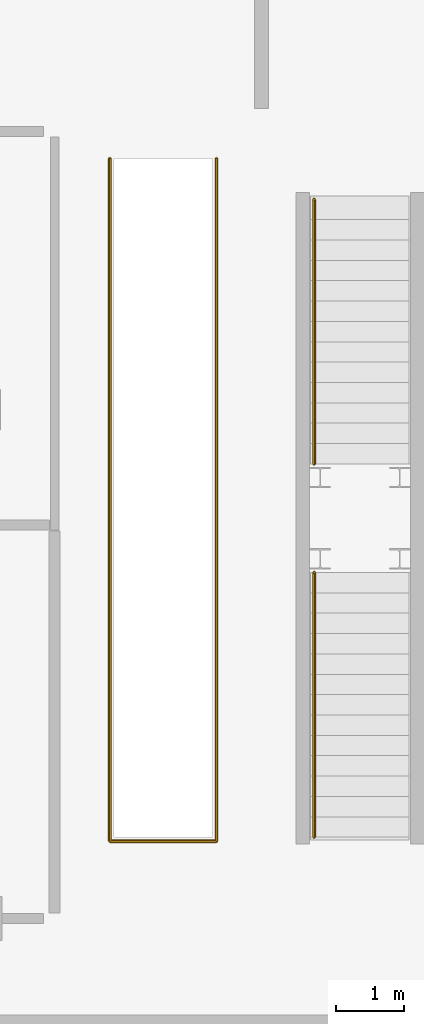
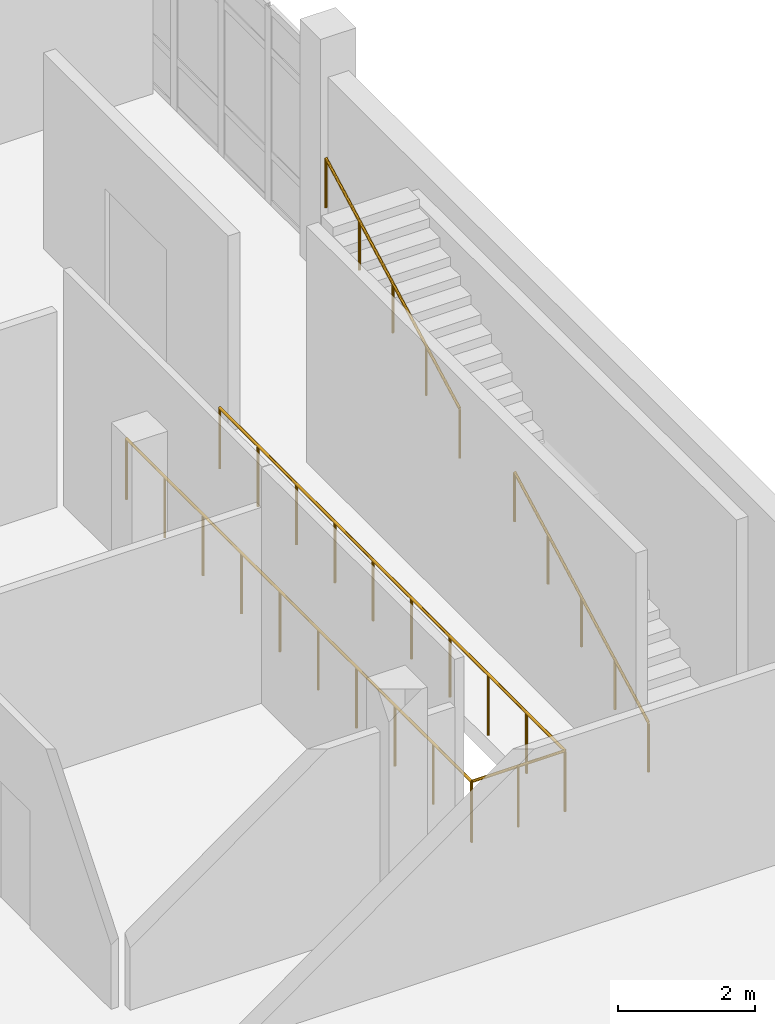
# One storey, part 155 of 164: 3 railings.
"""IFC4 building model written with IfcOpenShell, lengths in metres."""

from ifc_helpers import new_model, si_unit, direction, frame, origin, origin_2d, place, context, subcontext, project, spatial, circle, extrude, material, type_object, element, save


model = new_model("IFC4")

# Units and contexts
model_context = context("Model", 3, precision=1e-05, world=origin(), true_north=direction((0.0, 1.0)))
body_context = subcontext(model_context, "Body", "Model", "MODEL_VIEW")
ifc_project = project(units=[si_unit("LENGTHUNIT", "METRE"), si_unit("AREAUNIT", "SQUARE_METRE"), si_unit("VOLUMEUNIT", "CUBIC_METRE"), si_unit("PLANEANGLEUNIT", "RADIAN"), si_unit("MASSUNIT", "GRAM", prefix="KILO")], contexts=[model_context])

# Site, building, storey
site_placement = place(None, origin())
site = spatial("IfcSite", under=ifc_project, at=site_placement, CompositionType="ELEMENT")
building_placement = place(site_placement, origin())
building = spatial("IfcBuilding", under=site, at=building_placement, Name="Mawjan Specialist Oncology Clinic", CompositionType="ELEMENT")
storey_placement = place(building_placement, frame((0.0, 0.0, 5.0)))
storey = spatial("IfcBuildingStorey", under=building, at=storey_placement, Name="L01", CompositionType="ELEMENT", Elevation=5.0)

# Railings
ifc_material_1 = material(Name="Powder-coated steel stair guard with vertical infill pickets", Category="steel")
railing_type_1 = type_object("IfcRailingType", Name="GR-110", PredefinedType="GUARDRAIL", material=ifc_material_1)
railing_placement = place(storey_placement, frame((39.4150390625, 27.0, 0.0)))
element("IfcRailing", 1, at=railing_placement, inside=storey, type_object=railing_type_1, Name="ST-10 Well Perimeter Guard 1", PredefinedType="GUARDRAIL", context=body_context, shape_type="SweptSolid", body=[
    extrude(circle(Radius=0.02392578125, at=origin_2d()), frame((0.0, 0.0, 1.076171875), z_axis=(0.0, -1.0, 0.0), x_axis=(1.0, 0.0, 0.0)), (0.0, 0.0, 1.0), 10.06005859375),
    extrude(circle(Radius=0.02392578125, at=origin_2d()), frame((0.0, -10.06005859375, 1.076171875), z_axis=(1.0, 0.0, 0.0), x_axis=(0.0, 1.0, 0.0)), (0.0, 0.0, 1.0), 1.570068359375),
    extrude(circle(Radius=0.02392578125, at=origin_2d()), frame((1.570068359375, -10.06005859375, 1.076171875), z_axis=(0.0, 1.0, 0.0), x_axis=(-1.0, 0.0, 0.0)), (0.0, 0.0, 1.0), 10.06005859375),
    extrude(circle(Radius=0.02099609375, at=origin_2d()), origin(), (0.0, 0.0, 1.0), 1.052001953125),
    extrude(circle(Radius=0.02099609375, at=origin_2d()), frame((0.0, -1.11767578125, 0.0)), (0.0, 0.0, 1.0), 1.052001953125),
    extrude(circle(Radius=0.02099609375, at=origin_2d()), frame((0.0, -2.235595703125, 0.0)), (0.0, 0.0, 1.0), 1.052001953125),
    extrude(circle(Radius=0.02099609375, at=origin_2d()), frame((0.0, -3.353271484375, 0.0)), (0.0, 0.0, 1.0), 1.052001953125),
    extrude(circle(Radius=0.02099609375, at=origin_2d()), frame((0.0, -4.47119140625, 0.0)), (0.0, 0.0, 1.0), 1.052001953125),
    extrude(circle(Radius=0.02099609375, at=origin_2d()), frame((0.0, -5.5888671875, 0.0)), (0.0, 0.0, 1.0), 1.052001953125),
    extrude(circle(Radius=0.02099609375, at=origin_2d()), frame((0.0, -6.706787109375, 0.0)), (0.0, 0.0, 1.0), 1.052001953125),
    extrude(circle(Radius=0.02099609375, at=origin_2d()), frame((0.0, -7.824462890625, 0.0)), (0.0, 0.0, 1.0), 1.052001953125),
    extrude(circle(Radius=0.02099609375, at=origin_2d()), frame((0.0, -8.9423828125, 0.0)), (0.0, 0.0, 1.0), 1.052001953125),
    extrude(circle(Radius=0.02099609375, at=origin_2d()), frame((0.0, -10.06005859375, 0.0)), (0.0, 0.0, 1.0), 1.052001953125),
    extrude(circle(Radius=0.02099609375, at=origin_2d()), frame((0.78515625, -10.06005859375, 0.0)), (0.0, 0.0, 1.0), 1.052001953125),
    extrude(circle(Radius=0.02099609375, at=origin_2d()), frame((1.570068359375, -10.06005859375, 0.0)), (0.0, 0.0, 1.0), 1.052001953125),
    extrude(circle(Radius=0.02099609375, at=origin_2d()), frame((1.570068359375, -8.9423828125, 0.0)), (0.0, 0.0, 1.0), 1.052001953125),
    extrude(circle(Radius=0.02099609375, at=origin_2d()), frame((1.570068359375, -7.824462890625, 0.0)), (0.0, 0.0, 1.0), 1.052001953125),
    extrude(circle(Radius=0.02099609375, at=origin_2d()), frame((1.570068359375, -6.706787109375, 0.0)), (0.0, 0.0, 1.0), 1.052001953125),
    extrude(circle(Radius=0.02099609375, at=origin_2d()), frame((1.570068359375, -5.5888671875, 0.0)), (0.0, 0.0, 1.0), 1.052001953125),
    extrude(circle(Radius=0.02099609375, at=origin_2d()), frame((1.570068359375, -4.47119140625, 0.0)), (0.0, 0.0, 1.0), 1.052001953125),
    extrude(circle(Radius=0.02099609375, at=origin_2d()), frame((1.570068359375, -3.353271484375, 0.0)), (0.0, 0.0, 1.0), 1.052001953125),
    extrude(circle(Radius=0.02099609375, at=origin_2d()), frame((1.570068359375, -2.235595703125, 0.0)), (0.0, 0.0, 1.0), 1.052001953125),
    extrude(circle(Radius=0.02099609375, at=origin_2d()), frame((1.570068359375, -1.11767578125, 0.0)), (0.0, 0.0, 1.0), 1.052001953125),
    extrude(circle(Radius=0.02099609375, at=origin_2d()), frame((1.570068359375, 0.0, 0.0)), (0.0, 0.0, 1.0), 1.052001953125),
])
ifc_material_2 = material(Name="Brushed stainless-steel tubular handrail", Category="steel")
railing_type_2 = type_object("IfcRailingType", Name="HR-090", PredefinedType="HANDRAIL", material=ifc_material_2)
for number, where, name in (
    (2, (42.425048828125, 17.0, 0.16064453125), "ST-11 Communicating Stair Handrail 1"),
    (3, (42.425048828125, 22.5, 2.41064453125), "ST-11 Communicating Stair Handrail 2"),
):
    element("IfcRailing", number, at=place(storey_placement, frame(where)), inside=storey, type_object=railing_type_2, Name=name, PredefinedType="HANDRAIL", context=body_context, shape_type="SweptSolid", body=[
        extrude(circle(Radius=0.02392578125, at=origin_2d()), frame((0.0, 0.0, 0.8759765625), z_axis=(0.0, 0.881468485026, 0.472242850561), x_axis=(-1.0, 0.0, 0.0)), (0.0, 0.0, 1.0), 4.42431640625),
        extrude(circle(Radius=0.02099609375, at=origin_2d()), origin(), (0.0, 0.0, 1.0), 0.851806640625),
        extrude(circle(Radius=0.02099609375, at=origin_2d()), frame((0.0, 0.97509765625, 0.5224609375)), (0.0, 0.0, 1.0), 0.851806640625),
        extrude(circle(Radius=0.02099609375, at=origin_2d()), frame((0.0, 1.949951171875, 1.044677734375)), (0.0, 0.0, 1.0), 0.851806640625),
        extrude(circle(Radius=0.02099609375, at=origin_2d()), frame((0.0, 2.9248046875, 1.56689453125)), (0.0, 0.0, 1.0), 0.851806640625),
        extrude(circle(Radius=0.02099609375, at=origin_2d()), frame((0.0, 3.89990234375, 2.08935546875)), (0.0, 0.0, 1.0), 0.851806640625),
    ])

save(model, "model.ifc")
